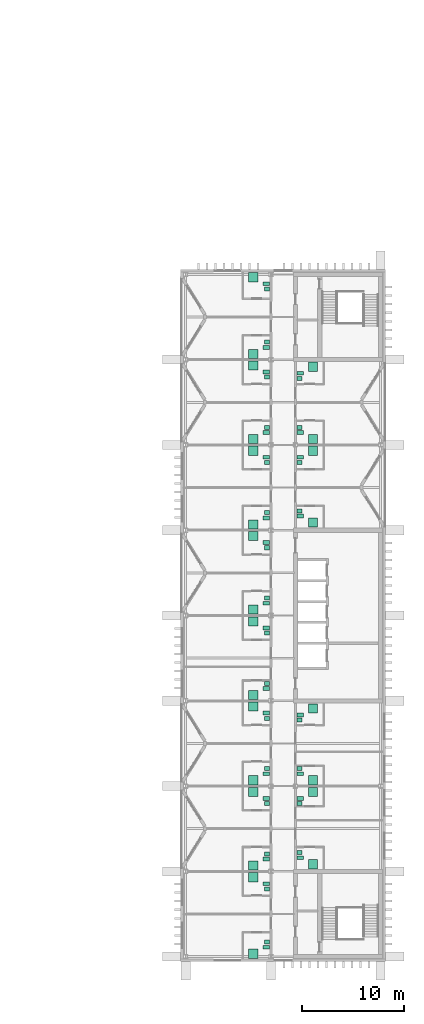
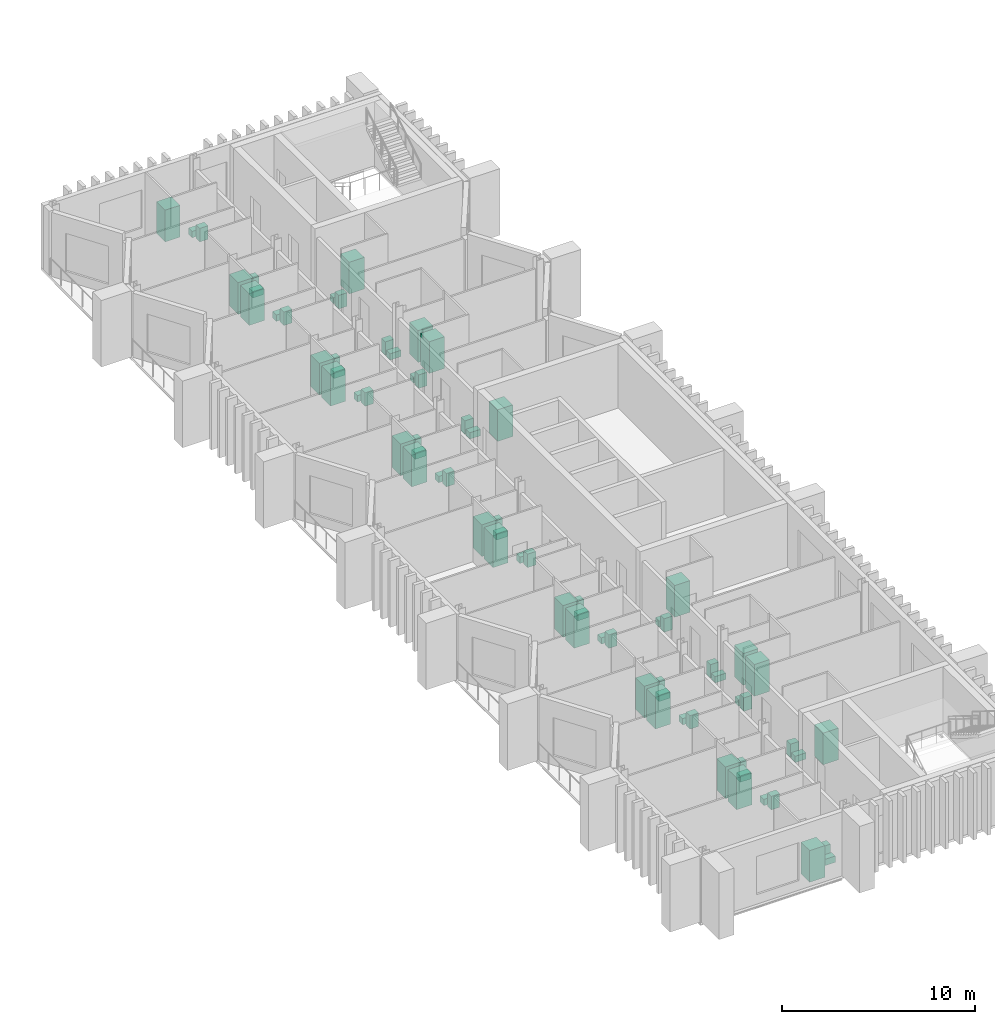
# One storey, part 18 of 18: 72 sanitary terminals.
"""IFC4 building model written with IfcOpenShell, lengths in metres."""

from ifc_helpers import new_model, si_unit, direction, frame, origin, origin_2d, place, context, subcontext, project, spatial, rectangle, extrude, material, type_object, element, save


model = new_model("IFC4")

# Units and contexts
model_context = context("Model", 3, precision=1e-05, world=origin(), true_north=direction((0.0, 1.0)))
body_context = subcontext(model_context, "Body", "Model", "MODEL_VIEW")
ifc_project = project(units=[si_unit("LENGTHUNIT", "METRE"), si_unit("AREAUNIT", "SQUARE_METRE"), si_unit("VOLUMEUNIT", "CUBIC_METRE"), si_unit("PLANEANGLEUNIT", "RADIAN"), si_unit("MASSUNIT", "GRAM", prefix="KILO")], contexts=[model_context])

# Site, building, storey
site_placement = place(None, origin())
site = spatial("IfcSite", under=ifc_project, at=site_placement, CompositionType="ELEMENT")
building_placement = place(site_placement, origin())
building = spatial("IfcBuilding", under=site, at=building_placement, Name="Cresset Court Congress Hotel", CompositionType="ELEMENT")
storey_placement = place(building_placement, frame((0.0, 0.0, 35.39990234375)))
storey = spatial("IfcBuildingStorey", under=building, at=storey_placement, Name="L08", CompositionType="ELEMENT", Elevation=35.39990234375)

# Sanitary terminals
ifc_material_1 = material(Name="Acrylic")
sanitary_terminal_type_1 = type_object("IfcSanitaryTerminalType", Name="Shower enclosure 900x900", PredefinedType="SHOWER", material=ifc_material_1)
for number, where, z_axis, x_axis, name in (
    (1, (163.85009765625, 0.280029296875, 0.0), (0.0, 0.0, 1.0), (1.0, 0.0, 0.0), "Shower enclosure 900x900 0801"),
    (2, (163.85009765625, 7.824951171875, 0.0), (0.0, 0.0, 1.0), (1.0, 0.0, 0.0), "Shower enclosure 900x900 0802"),
    (3, (163.85009765625, 8.97509765625, 0.0), (0.0, 0.0, 1.0), (1.0, 0.0, 0.0), "Shower enclosure 900x900 0803"),
    (4, (163.85009765625, 16.22509765625, 0.0), (0.0, 0.0, 1.0), (1.0, 0.0, 0.0), "Shower enclosure 900x900 0804"),
    (5, (163.85009765625, 17.375, 0.0), (0.0, 0.0, 1.0), (1.0, 0.0, 0.0), "Shower enclosure 900x900 0805"),
    (6, (163.85009765625, 24.625, 0.0), (0.0, 0.0, 1.0), (1.0, 0.0, 0.0), "Shower enclosure 900x900 0806"),
    (7, (163.85009765625, 25.77490234375, 0.0), (0.0, 0.0, 1.0), (1.0, 0.0, 0.0), "Shower enclosure 900x900 0807"),
    (8, (163.85009765625, 33.02490234375, 0.0), (0.0, 0.0, 1.0), (1.0, 0.0, 0.0), "Shower enclosure 900x900 0808"),
    (9, (163.85009765625, 34.175048828125, 0.0), (0.0, 0.0, 1.0), (1.0, 0.0, 0.0), "Shower enclosure 900x900 0809"),
    (10, (163.85009765625, 41.425048828125, 0.0), (0.0, 0.0, 1.0), (1.0, 0.0, 0.0), "Shower enclosure 900x900 0810"),
    (11, (163.85009765625, 42.574951171875, 0.0), (0.0, 0.0, 1.0), (1.0, 0.0, 0.0), "Shower enclosure 900x900 0811"),
    (12, (163.85009765625, 49.824951171875, 0.0), (0.0, 0.0, 1.0), (1.0, 0.0, 0.0), "Shower enclosure 900x900 0812"),
    (13, (163.85009765625, 50.97509765625, 0.0), (0.0, 0.0, 1.0), (1.0, 0.0, 0.0), "Shower enclosure 900x900 0813"),
    (14, (163.85009765625, 58.22509765625, 0.0), (0.0, 0.0, 1.0), (1.0, 0.0, 0.0), "Shower enclosure 900x900 0814"),
    (15, (163.85009765625, 59.375, 0.0), (0.0, 0.0, 1.0), (1.0, 0.0, 0.0), "Shower enclosure 900x900 0815"),
    (16, (163.85009765625, 66.919921875, 0.0), (0.0, 0.0, 1.0), (1.0, 0.0, 0.0), "Shower enclosure 900x900 0816"),
    (17, (169.75, 9.10009765625, 0.0), (0.0, 0.0, 1.0), (1.0, 0.0, 0.0), "Shower enclosure 900x900 0817"),
    (18, (169.75, 16.22509765625, 0.0), (0.0, 0.0, 1.0), (1.0, 0.0, 0.0), "Shower enclosure 900x900 0818"),
    (19, (169.75, 17.375, 0.0), (0.0, 0.0, 1.0), (1.0, 0.0, 0.0), "Shower enclosure 900x900 0819"),
    (20, (169.75, 24.449951171875, 0.0), (0.0, 0.0, 1.0), (1.0, 0.0, 0.0), "Shower enclosure 900x900 0820"),
    (21, (169.75, 42.75, 0.0), (0.0, 0.0, 1.0), (1.0, 0.0, 0.0), "Shower enclosure 900x900 0821"),
    (22, (169.75, 49.824951171875, 0.0), (0.0, 0.0, 1.0), (1.0, 0.0, 0.0), "Shower enclosure 900x900 0822"),
    (23, (169.75, 50.97509765625, 0.0), (0.0, 0.0, 1.0), (1.0, 0.0, 0.0), "Shower enclosure 900x900 0823"),
    (24, (169.75, 58.10009765625, 0.0), (0.0, 0.0, 1.0), (1.0, 0.0, 0.0), "Shower enclosure 900x900 0824"),
):
    element("IfcSanitaryTerminal", number, at=place(storey_placement, frame(where, z_axis=z_axis, x_axis=x_axis)), inside=storey, type_object=sanitary_terminal_type_1, Name=name, PredefinedType="SHOWER", context=body_context, shape_type="SweptSolid", body=[
        extrude(rectangle(XDim=0.89990234375, YDim=0.89990234375, at=origin_2d()), origin(), (0.0, 0.0, 1.0), 2.0),
    ])
ifc_material_2 = material(Name="Vitreous china")
sanitary_terminal_type_2 = type_object("IfcSanitaryTerminalType", Name="Toilet pan 650x380", PredefinedType="TOILETPAN", material=ifc_material_2)
for number, where, z_axis, x_axis, name in (
    (25, (165.125, 0.919921875, 0.000244140625), (0.0, 0.0, 1.0), (1.0, 0.0, 0.0), "Toilet pan 650x380 0801"),
    (26, (165.125, 7.18505859375, 0.000244140625), (0.0, 0.0, 1.0), (1.0, 0.0, 0.0), "Toilet pan 650x380 0802"),
    (27, (165.125, 9.614990234375, 0.000244140625), (0.0, 0.0, 1.0), (1.0, 0.0, 0.0), "Toilet pan 650x380 0803"),
    (28, (165.125, 15.5849609375, 0.000244140625), (0.0, 0.0, 1.0), (1.0, 0.0, 0.0), "Toilet pan 650x380 0804"),
    (29, (165.125, 18.014892578125, 0.000244140625), (0.0, 0.0, 1.0), (1.0, 0.0, 0.0), "Toilet pan 650x380 0805"),
    (30, (165.125, 23.985107421875, 0.000244140625), (0.0, 0.0, 1.0), (1.0, 0.0, 0.0), "Toilet pan 650x380 0806"),
    (31, (165.125, 26.4150390625, 0.000244140625), (0.0, 0.0, 1.0), (1.0, 0.0, 0.0), "Toilet pan 650x380 0807"),
    (32, (165.125, 32.385009765625, 0.000244140625), (0.0, 0.0, 1.0), (1.0, 0.0, 0.0), "Toilet pan 650x380 0808"),
    (33, (165.125, 34.81494140625, 0.000244140625), (0.0, 0.0, 1.0), (1.0, 0.0, 0.0), "Toilet pan 650x380 0809"),
    (34, (165.125, 40.784912109375, 0.000244140625), (0.0, 0.0, 1.0), (1.0, 0.0, 0.0), "Toilet pan 650x380 0810"),
    (35, (165.125, 43.215087890625, 0.000244140625), (0.0, 0.0, 1.0), (1.0, 0.0, 0.0), "Toilet pan 650x380 0811"),
    (36, (165.125, 49.18505859375, 0.000244140625), (0.0, 0.0, 1.0), (1.0, 0.0, 0.0), "Toilet pan 650x380 0812"),
    (37, (165.125, 51.614990234375, 0.000244140625), (0.0, 0.0, 1.0), (1.0, 0.0, 0.0), "Toilet pan 650x380 0813"),
    (38, (165.125, 57.5849609375, 0.000244140625), (0.0, 0.0, 1.0), (1.0, 0.0, 0.0), "Toilet pan 650x380 0814"),
    (39, (165.125, 60.014892578125, 0.000244140625), (0.0, 0.0, 1.0), (1.0, 0.0, 0.0), "Toilet pan 650x380 0815"),
    (40, (165.125, 66.280029296875, 0.000244140625), (0.0, 0.0, 1.0), (1.0, 0.0, 0.0), "Toilet pan 650x380 0816"),
    (41, (168.47509765625, 9.739990234375, 0.000244140625), (0.0, 0.0, 1.0), (1.0, 0.0, 0.0), "Toilet pan 650x380 0817"),
    (42, (168.47509765625, 15.5849609375, 0.000244140625), (0.0, 0.0, 1.0), (1.0, 0.0, 0.0), "Toilet pan 650x380 0818"),
    (43, (168.47509765625, 18.014892578125, 0.000244140625), (0.0, 0.0, 1.0), (1.0, 0.0, 0.0), "Toilet pan 650x380 0819"),
    (44, (168.47509765625, 23.81005859375, 0.000244140625), (0.0, 0.0, 1.0), (1.0, 0.0, 0.0), "Toilet pan 650x380 0820"),
    (45, (168.47509765625, 43.389892578125, 0.000244140625), (0.0, 0.0, 1.0), (1.0, 0.0, 0.0), "Toilet pan 650x380 0821"),
    (46, (168.47509765625, 49.18505859375, 0.000244140625), (0.0, 0.0, 1.0), (1.0, 0.0, 0.0), "Toilet pan 650x380 0822"),
    (47, (168.47509765625, 51.614990234375, 0.000244140625), (0.0, 0.0, 1.0), (1.0, 0.0, 0.0), "Toilet pan 650x380 0823"),
    (48, (168.47509765625, 57.4599609375, 0.000244140625), (0.0, 0.0, 1.0), (1.0, 0.0, 0.0), "Toilet pan 650x380 0824"),
):
    element("IfcSanitaryTerminal", number, at=place(storey_placement, frame(where, z_axis=z_axis, x_axis=x_axis)), inside=storey, type_object=sanitary_terminal_type_2, Name=name, PredefinedType="TOILETPAN", context=body_context, shape_type="SweptSolid", body=[
        extrude(rectangle(XDim=0.64990234375, YDim=0.3798828125, at=origin_2d()), origin(), (0.0, 0.0, 1.0), 0.39990234375),
    ])
ifc_material_3 = material(Name="Vitreous china")
sanitary_terminal_type_3 = type_object("IfcSanitaryTerminalType", Name="Wash basin 500x400", PredefinedType="WASHHANDBASIN", material=ifc_material_3)
for number, where, z_axis, x_axis, name in (
    (49, (165.199951171875, 1.429931640625, 0.0), (0.0, 0.0, 1.0), (1.0, 0.0, 0.0), "Wash basin 500x400 0801"),
    (50, (165.199951171875, 6.675048828125, 0.0), (0.0, 0.0, 1.0), (1.0, 0.0, 0.0), "Wash basin 500x400 0802"),
    (51, (165.199951171875, 10.125, 0.0), (0.0, 0.0, 1.0), (1.0, 0.0, 0.0), "Wash basin 500x400 0803"),
    (52, (165.199951171875, 15.074951171875, 0.0), (0.0, 0.0, 1.0), (1.0, 0.0, 0.0), "Wash basin 500x400 0804"),
    (53, (165.199951171875, 18.52490234375, 0.0), (0.0, 0.0, 1.0), (1.0, 0.0, 0.0), "Wash basin 500x400 0805"),
    (54, (165.199951171875, 23.47509765625, 0.0), (0.0, 0.0, 1.0), (1.0, 0.0, 0.0), "Wash basin 500x400 0806"),
    (55, (165.199951171875, 26.925048828125, 0.0), (0.0, 0.0, 1.0), (1.0, 0.0, 0.0), "Wash basin 500x400 0807"),
    (56, (165.199951171875, 31.875, 0.0), (0.0, 0.0, 1.0), (1.0, 0.0, 0.0), "Wash basin 500x400 0808"),
    (57, (165.199951171875, 35.324951171875, 0.0), (0.0, 0.0, 1.0), (1.0, 0.0, 0.0), "Wash basin 500x400 0809"),
    (58, (165.199951171875, 40.27490234375, 0.0), (0.0, 0.0, 1.0), (1.0, 0.0, 0.0), "Wash basin 500x400 0810"),
    (59, (165.199951171875, 43.72509765625, 0.0), (0.0, 0.0, 1.0), (1.0, 0.0, 0.0), "Wash basin 500x400 0811"),
    (60, (165.199951171875, 48.675048828125, 0.0), (0.0, 0.0, 1.0), (1.0, 0.0, 0.0), "Wash basin 500x400 0812"),
    (61, (165.199951171875, 52.125, 0.0), (0.0, 0.0, 1.0), (1.0, 0.0, 0.0), "Wash basin 500x400 0813"),
    (62, (165.199951171875, 57.074951171875, 0.0), (0.0, 0.0, 1.0), (1.0, 0.0, 0.0), "Wash basin 500x400 0814"),
    (63, (165.199951171875, 60.52490234375, 0.0), (0.0, 0.0, 1.0), (1.0, 0.0, 0.0), "Wash basin 500x400 0815"),
    (64, (165.199951171875, 65.77001953125, 0.0), (0.0, 0.0, 1.0), (1.0, 0.0, 0.0), "Wash basin 500x400 0816"),
    (65, (168.39990234375, 10.25, 0.0), (0.0, 0.0, 1.0), (1.0, 0.0, 0.0), "Wash basin 500x400 0817"),
    (66, (168.39990234375, 15.074951171875, 0.0), (0.0, 0.0, 1.0), (1.0, 0.0, 0.0), "Wash basin 500x400 0818"),
    (67, (168.39990234375, 18.52490234375, 0.0), (0.0, 0.0, 1.0), (1.0, 0.0, 0.0), "Wash basin 500x400 0819"),
    (68, (168.39990234375, 23.300048828125, 0.0), (0.0, 0.0, 1.0), (1.0, 0.0, 0.0), "Wash basin 500x400 0820"),
    (69, (168.39990234375, 43.89990234375, 0.0), (0.0, 0.0, 1.0), (1.0, 0.0, 0.0), "Wash basin 500x400 0821"),
    (70, (168.39990234375, 48.675048828125, 0.0), (0.0, 0.0, 1.0), (1.0, 0.0, 0.0), "Wash basin 500x400 0822"),
    (71, (168.39990234375, 52.125, 0.0), (0.0, 0.0, 1.0), (1.0, 0.0, 0.0), "Wash basin 500x400 0823"),
    (72, (168.39990234375, 56.949951171875, 0.0), (0.0, 0.0, 1.0), (1.0, 0.0, 0.0), "Wash basin 500x400 0824"),
):
    element("IfcSanitaryTerminal", number, at=place(storey_placement, frame(where, z_axis=z_axis, x_axis=x_axis)), inside=storey, type_object=sanitary_terminal_type_3, Name=name, PredefinedType="WASHHANDBASIN", context=body_context, shape_type="SweptSolid", body=[
        extrude(rectangle(XDim=0.5, YDim=0.39990234375, at=origin_2d()), origin(), (0.0, 0.0, 1.0), 0.85009765625),
    ])

save(model, "model.ifc")
